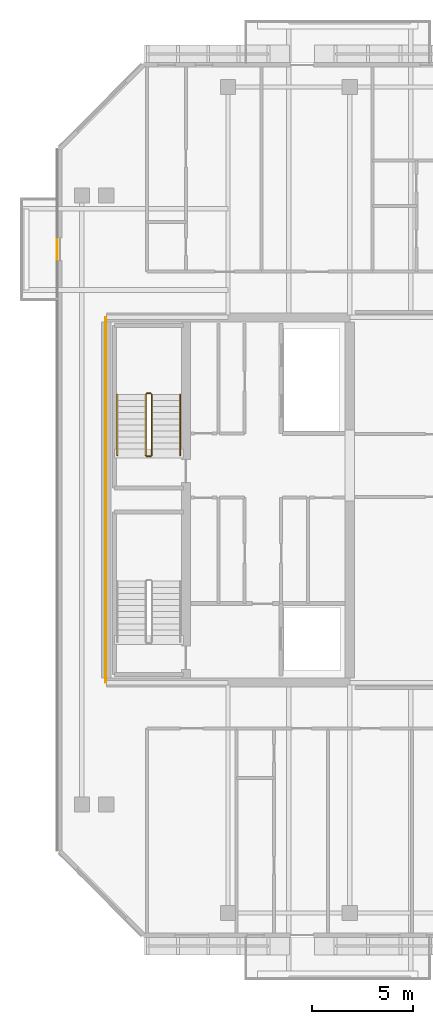
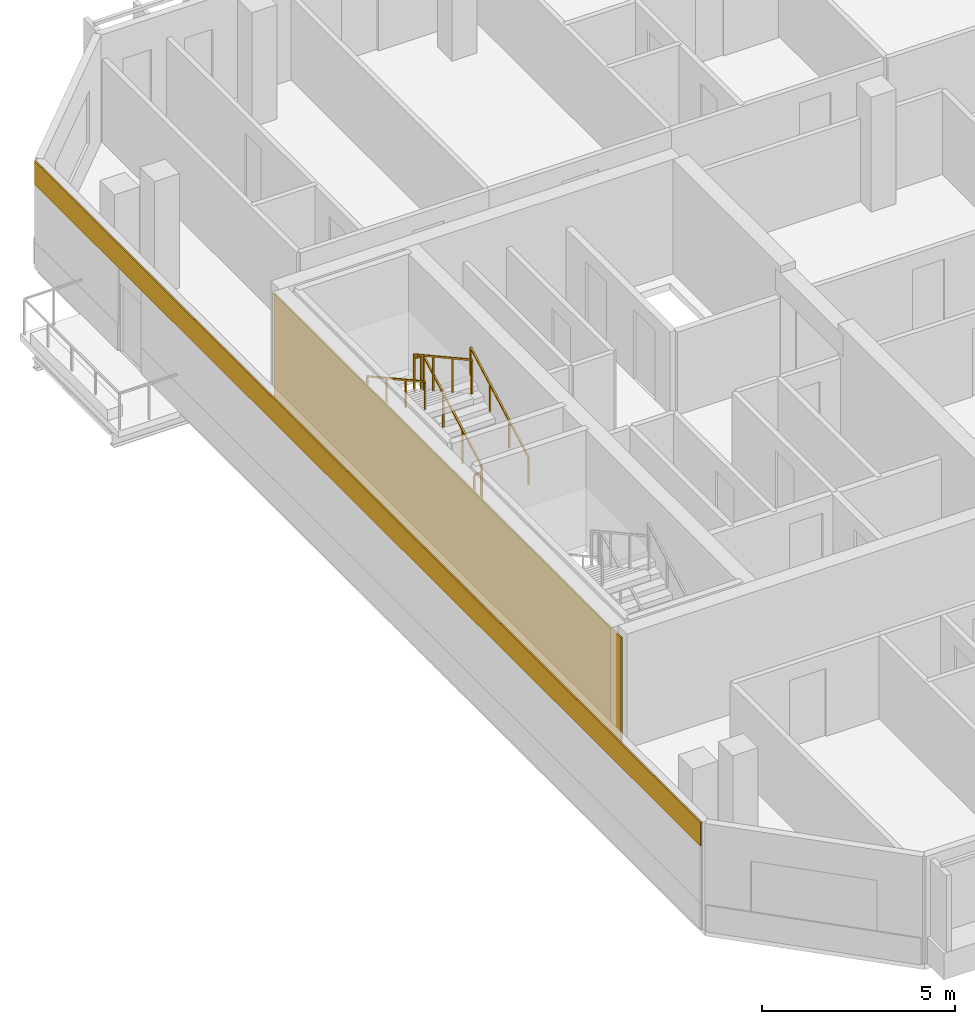
# One storey, part 19 of 23: 6 railings, 2 coverings.
"""IFC4 building model written with IfcOpenShell, lengths in metres."""

import ifcopenshell
import ifcopenshell.guid

model = None  # the IFC model being written
_history = None  # IfcOwnerHistory: only IFC2X3 demands one
_inside = {}  # id of a spatial element -> (the spatial element, [elements in it])
_under = {}  # id of a project, library or spatial element -> (it, [spatial elements below it])
_declared = {}  # id of a project -> (the project, [libraries it declares])
_typed = {}  # id of a type object -> (the type object, [elements of that type])
_made_of = {}  # id of a material, layer set ... -> (it, [elements and type objects made of it])


def new_model(schema):
    """Start an empty IFC model of exactly this schema.

    Asked for "IFC4X3", IfcOpenShell would pick the latest addendum, in which some entities
    have other attributes; the version numbers below select the first issue.
    IFC2X3 requires an IfcOwnerHistory on every rooted entity: one is made here for all.
    """
    global model, _history
    if schema == "IFC4X3":
        model = ifcopenshell.file(schema_version=(4, 3, 0, 0))
    else:
        model = ifcopenshell.file(schema=schema)
    _inside.clear()
    _under.clear()
    _declared.clear()
    _typed.clear()
    _made_of.clear()
    _history = None
    if model.schema == "IFC2X3":
        org = make("IfcOrganization", Name="unknown")
        user = make(
            "IfcPersonAndOrganization",
            ThePerson=make("IfcPerson", FamilyName="unknown"),
            TheOrganization=org,
        )
        app = make(
            "IfcApplication",
            ApplicationDeveloper=org,
            Version="unknown",
            ApplicationFullName="unknown",
            ApplicationIdentifier="unknown",
        )
        _history = make(
            "IfcOwnerHistory",
            OwningUser=user,
            OwningApplication=app,
            ChangeAction="ADDED",
            CreationDate=0,
        )
    return model


def make(cls, **values):
    """One entity of the class cls with the attributes given. An attribute that is None is left unset."""
    return model.create_entity(
        cls, **{name: value for name, value in values.items() if value is not None}
    )


def rooted(cls, **values):
    """An entity with a GlobalId (a new one), such as an element, a storey or a relation."""
    return make(cls, GlobalId=ifcopenshell.guid.new(), OwnerHistory=_history, **values)


def si_unit(unit_type, name, prefix=None):
    """IfcSIUnit, for example si_unit("LENGTHUNIT", "METRE", prefix="MILLI")."""
    return make("IfcSIUnit", UnitType=unit_type, Prefix=prefix, Name=name)


def assignment(units):
    """IfcUnitAssignment: the units of a project."""
    return None if units is None else make("IfcUnitAssignment", Units=units)


def point(xyz):
    """IfcCartesianPoint."""
    return None if xyz is None else make("IfcCartesianPoint", Coordinates=xyz)


def direction(xyz):
    """IfcDirection."""
    return None if xyz is None else make("IfcDirection", DirectionRatios=xyz)


def frame(location, z_axis=None, x_axis=None):
    """IfcAxis2Placement3D, a coordinate frame: its origin and axes. An axis left out is left unset."""
    return make(
        "IfcAxis2Placement3D",
        Location=point(location),
        Axis=direction(z_axis),
        RefDirection=direction(x_axis),
    )


def frame_2d(location, x_axis=None):
    """IfcAxis2Placement2D, a coordinate frame in the plane: its origin and x axis."""
    return make(
        "IfcAxis2Placement2D", Location=point(location), RefDirection=direction(x_axis)
    )


def origin():
    """The frame at (0, 0, 0) with its axes left unset."""
    return frame((0.0, 0.0, 0.0))


def origin_2d():
    """The frame at (0, 0) in the plane with its x axis left unset."""
    return frame_2d((0.0, 0.0))


def place(relative_to, where):
    """IfcLocalPlacement: puts the frame where relative to a parent placement (None: the world)."""
    return make(
        "IfcLocalPlacement", PlacementRelTo=relative_to, RelativePlacement=where
    )


def context(
    kind, dimensions, precision=None, world=None, true_north=None, identifier=None
):
    """IfcGeometricRepresentationContext, for example the 3D "Model" context."""
    return make(
        "IfcGeometricRepresentationContext",
        ContextIdentifier=identifier,
        ContextType=kind,
        CoordinateSpaceDimension=dimensions,
        Precision=precision,
        WorldCoordinateSystem=world,
        TrueNorth=true_north,
    )


def subcontext(parent, identifier, kind, view, scale=None):
    """IfcGeometricRepresentationSubContext, for example "Body" below "Model"."""
    return make(
        "IfcGeometricRepresentationSubContext",
        ContextIdentifier=identifier,
        ContextType=kind,
        ParentContext=parent,
        TargetScale=scale,
        TargetView=view,
    )


def project(units=None, contexts=None):
    """IfcProject with its units and contexts."""
    return rooted(
        "IfcProject",
        Name="project",
        RepresentationContexts=contexts,
        UnitsInContext=assignment(units),
    )


def spatial(cls, under=None, at=None, **own):
    """A site, building, storey or space (cls), placed at a placement, below another one or the project."""
    s = rooted(cls, ObjectPlacement=at, **own)
    if under is not None:
        _under.setdefault(under.id(), (under, []))[1].append(s)
    return s


def profile(cls, at=None, kind="AREA", **sizes):
    """A parametric profile (cls). Its sizes go by their IFC names, for example OverallWidth=200.0."""
    return make(cls, ProfileType=kind, Position=at, **sizes)


def rectangle(**sizes):
    """IfcRectangleProfileDef."""
    return profile("IfcRectangleProfileDef", **sizes)


def extrude(swept, where, along, depth):
    """IfcExtrudedAreaSolid: the profile swept, set in the frame where, extruded along a direction by depth."""
    return make(
        "IfcExtrudedAreaSolid",
        SweptArea=swept,
        Position=where,
        ExtrudedDirection=direction(along),
        Depth=depth,
    )


def shape(context_of_items, identifier, shape_type, items):
    """IfcShapeRepresentation: the items that make up one representation, for example the "Body"."""
    return make(
        "IfcShapeRepresentation",
        ContextOfItems=context_of_items,
        RepresentationIdentifier=identifier,
        RepresentationType=shape_type,
        Items=items,
    )


def material(Name=None, Category=None):
    """IfcMaterial."""
    return make("IfcMaterial", Name=Name, Category=Category)


def layer(
    of_material, thickness, ventilated=None, Name=None, Category=None, Priority=None
):
    """IfcMaterialLayer: one layer of a wall or slab, of a material (None: an air gap)."""
    return make(
        "IfcMaterialLayer",
        Material=of_material,
        LayerThickness=thickness,
        IsVentilated=ventilated,
        Name=Name,
        Category=Category,
        Priority=Priority,
    )


def layer_set(layers, Name=None):
    """IfcMaterialLayerSet."""
    return make("IfcMaterialLayerSet", MaterialLayers=layers, LayerSetName=Name)


def made_of(thing, what):
    """Note that an element or type object is made of a material, layer set ...; save() writes the relation."""
    if what is not None:
        _made_of.setdefault(what.id(), (what, []))[1].append(thing)
    return thing


def type_object(cls, material=None, **own):
    """A type object (cls), such as IfcWallType, which elements share."""
    return made_of(rooted(cls, **own), material)


def element(
    cls,
    number,
    at=None,
    inside=None,
    cuts=None,
    type_object=None,
    material=None,
    context=None,
    identifier="Body",
    shape_type=None,
    held_by="IfcProductDefinitionShape",
    body=None,
    shapes=None,
    **own,
):
    """One element of the class cls, such as IfcWall. Its Tag is "e" and its number.

    at: its placement. inside: the storey or other place that contains it. cuts: it is an
    opening in that element (IfcRelVoidsElement). A single representation is given by context,
    identifier, shape_type and body (its items); several are given by shapes. held_by: the class
    of the entity that holds the representations. save() writes the other relations.
    """
    e = rooted(cls, Tag="e%d" % number, ObjectPlacement=at, **own)
    if body is not None:
        shapes = [shape(context, identifier, shape_type, body)]
    if shapes is not None:
        e.Representation = make(held_by, Representations=shapes)
    if inside is not None:
        _inside.setdefault(inside.id(), (inside, []))[1].append(e)
    if cuts is not None:
        rooted(
            "IfcRelVoidsElement", RelatingBuildingElement=cuts, RelatedOpeningElement=e
        )
    if type_object is not None:
        _typed.setdefault(type_object.id(), (type_object, []))[1].append(e)
    return made_of(e, material)


def aggregate(whole, parts):
    """IfcRelAggregates: a whole, such as a stair, and the parts it consists of."""
    return rooted("IfcRelAggregates", RelatingObject=whole, RelatedObjects=parts)


def save(model, path):
    """Write the relations noted so far, then the file.

    IfcRelAggregates (storeys below a building ...), IfcRelContainedInSpatialStructure (elements
    in a storey), IfcRelDefinesByType, IfcRelAssociatesMaterial and IfcRelDeclares: one each for
    every whole, place, type object, material and project.
    """
    for whole, parts in _under.values():
        aggregate(whole, parts)
    for where, things in _inside.values():
        rooted(
            "IfcRelContainedInSpatialStructure",
            RelatedElements=things,
            RelatingStructure=where,
        )
    for kind, things in _typed.values():
        rooted("IfcRelDefinesByType", RelatedObjects=things, RelatingType=kind)
    for what, things in _made_of.values():
        rooted("IfcRelAssociatesMaterial", RelatedObjects=things, RelatingMaterial=what)
    for by, libraries in _declared.values():
        rooted("IfcRelDeclares", RelatingContext=by, RelatedDefinitions=libraries)
    model.write(path)


model = new_model("IFC4")

# Units and contexts
model_context = context("Model", 3, precision=1e-05, world=origin(), true_north=direction((0.0, 1.0)))
body_context = subcontext(model_context, "Body", "Model", "MODEL_VIEW")
ifc_project = project(units=[si_unit("LENGTHUNIT", "METRE"), si_unit("AREAUNIT", "SQUARE_METRE"), si_unit("VOLUMEUNIT", "CUBIC_METRE"), si_unit("PLANEANGLEUNIT", "RADIAN"), si_unit("MASSUNIT", "GRAM", prefix="KILO")], contexts=[model_context])

# Site, building, storey
site_placement = place(None, origin())
site = spatial("IfcSite", under=ifc_project, at=site_placement, CompositionType="ELEMENT")
building_placement = place(site_placement, origin())
building = spatial("IfcBuilding", under=site, at=building_placement, Name="Tanjung Sevakor Pilgrim Tower", CompositionType="ELEMENT")
storey_placement = place(building_placement, frame((0.0, 0.0, 215.489990234375)))
storey = spatial("IfcBuildingStorey", under=building, at=storey_placement, Name="L60", CompositionType="ELEMENT", Elevation=215.489990234375)

# Coverings
ifc_material_1 = material(Name="Reconstructed Limestone Cladding", Category="masonry")
ifc_layer = layer(ifc_material_1, 0.044921875)
ifc_layer_set = layer_set([ifc_layer], Name="COV-CLAD-LIMESTONE")
covering_type = type_object("IfcCoveringType", Name="COV-CLAD-LIMESTONE", PredefinedType="CLADDING", material=ifc_layer_set)
covering_1_placement = place(storey_placement, frame((21.577392578125, 33.60009765625, 2.66015625), z_axis=(0.0, 0.0, 1.0), x_axis=(0.0, -1.0, 0.0)))
element("IfcCovering", 1, at=covering_1_placement, inside=storey, type_object=covering_type, Name="L60 Warm Limestone Cornice Spandrel EW-L60-MAIN-15", PredefinedType="CLADDING", context=body_context, shape_type="SweptSolid", body=[
    extrude(rectangle(XDim=34.56884765625, YDim=0.044921875, at=origin_2d()), origin(), (0.0, 0.0, 1.0), 0.739990234375),
])
covering_2_placement = place(storey_placement, frame((23.9775390625, 33.60009765625, 0.02001953125), z_axis=(0.0, 0.0, 1.0), x_axis=(1.0, 0.0, 0.0)))
element("IfcCovering", 2, at=covering_2_placement, inside=storey, type_object=covering_type, Name="L60 Expressed Core Warm Limestone Cladding W", PredefinedType="CLADDING", context=body_context, shape_type="SweptSolid", body=[
    extrude(rectangle(XDim=0.044921875, YDim=18.0, at=origin_2d()), origin(), (0.0, 0.0, 1.0), 3.3701171875),
])

# Railings
ifc_material_2 = material(Name="Steel S355J2", Category="steel")
railing_type_1 = type_object("IfcRailingType", Name="RL-STAIR-GUARD", PredefinedType="GUARDRAIL", material=ifc_material_2)
railing_1_placement = place(storey_placement, frame((26.25, 35.800048828125, 0.1650390625)))
element("IfcRailing", 3, at=railing_1_placement, inside=storey, type_object=railing_type_1, Name="L60 TS-W2 stair guard 1", PredefinedType="GUARDRAIL", context=body_context, shape_type="SweptSolid", body=[
    extrude(rectangle(XDim=0.0479, YDim=0.0479), frame((0.0, 0.0, 1.076171875), z_axis=(0.0, 0.876227952683, 0.48189685093), x_axis=(-1.0, 0.0, 0.0)), (0.0, 0.0, 1.0), 3.423828125),
    extrude(rectangle(XDim=0.042, YDim=0.042), origin(), (0.0, 0.0, 1.0), 1.052001953125),
    extrude(rectangle(XDim=0.042, YDim=0.042), frame((0.0, 1.0, 0.550048828125)), (0.0, 0.0, 1.0), 1.052001953125),
    extrude(rectangle(XDim=0.042, YDim=0.042), frame((0.0, 2.0, 1.099853515625)), (0.0, 0.0, 1.0), 1.052001953125),
    extrude(rectangle(XDim=0.042, YDim=0.042), frame((0.0, 3.0, 1.64990234375)), (0.0, 0.0, 1.0), 1.052001953125),
])
railing_2_placement = place(storey_placement, frame((26.199951171875, 38.85009765625, 1.81494140625)))
element("IfcRailing", 4, at=railing_2_placement, inside=storey, type_object=railing_type_1, Name="L60 TS-W2 stair guard 2", PredefinedType="GUARDRAIL", context=body_context, shape_type="SweptSolid", body=[
    extrude(rectangle(XDim=0.0479, YDim=0.0479), frame((0.0, 0.0, 1.076171875), z_axis=(-1.0, 0.0, 0.0), x_axis=(0.0, -1.0, 0.0)), (0.0, 0.0, 1.0), 0.199951171875),
    extrude(rectangle(XDim=0.042, YDim=0.042), origin(), (0.0, 0.0, 1.0), 1.052001953125),
    extrude(rectangle(XDim=0.042, YDim=0.042), frame((-0.199951171875, 0.0, 0.0)), (0.0, 0.0, 1.0), 1.052001953125),
])
railing_3_placement = place(storey_placement, frame((25.949951171875, 38.800048828125, 1.97998046875)))
element("IfcRailing", 5, at=railing_3_placement, inside=storey, type_object=railing_type_1, Name="L60 TS-W2 stair guard 3", PredefinedType="GUARDRAIL", context=body_context, shape_type="SweptSolid", body=[
    extrude(rectangle(XDim=0.0479, YDim=0.0479), frame((0.0, 0.0, 1.076171875), z_axis=(0.0, -0.876197842262, 0.481951596342), x_axis=(1.0, 0.0, 0.0)), (0.0, 0.0, 1.0), 3.423828125),
    extrude(rectangle(XDim=0.042, YDim=0.042), origin(), (0.0, 0.0, 1.0), 1.052001953125),
    extrude(rectangle(XDim=0.042, YDim=0.042), frame((0.0, -1.0, 0.550048828125)), (0.0, 0.0, 1.0), 1.052001953125),
    extrude(rectangle(XDim=0.042, YDim=0.042), frame((0.0, -2.0, 1.10009765625)), (0.0, 0.0, 1.0), 1.052001953125),
    extrude(rectangle(XDim=0.042, YDim=0.042), frame((0.0, -3.0, 1.650146484375)), (0.0, 0.0, 1.0), 1.052001953125),
])
railing_4_placement = place(storey_placement, frame((26.199951171875, 35.75, 0.0)))
element("IfcRailing", 6, at=railing_4_placement, inside=storey, type_object=railing_type_1, Name="L60 TS-W2 stair guard 4", PredefinedType="GUARDRAIL", context=body_context, shape_type="SweptSolid", body=[
    extrude(rectangle(XDim=0.0479, YDim=0.0479), frame((0.0, 0.0, 1.076171875), z_axis=(-1.0, 0.0, 0.0), x_axis=(0.0, -1.0, 0.0)), (0.0, 0.0, 1.0), 0.199951171875),
    extrude(rectangle(XDim=0.042, YDim=0.042), origin(), (0.0, 0.0, 1.0), 1.052001953125),
    extrude(rectangle(XDim=0.042, YDim=0.042), frame((-0.199951171875, 0.0, 0.0)), (0.0, 0.0, 1.0), 1.052001953125),
])
ifc_material_3 = material(Name="Steel S355J2", Category="steel")
railing_type_2 = type_object("IfcRailingType", Name="RL-STAIR-HAND", PredefinedType="HANDRAIL", material=ifc_material_3)
railing_5_placement = place(storey_placement, frame((27.64990234375, 35.800048828125, 0.1650390625)))
element("IfcRailing", 7, at=railing_5_placement, inside=storey, type_object=railing_type_2, Name="L60 TS-W2 stair handrail 1", PredefinedType="HANDRAIL", context=body_context, shape_type="SweptSolid", body=[
    extrude(rectangle(XDim=0.0479, YDim=0.0479), frame((0.0, 0.0, 0.8759765625), z_axis=(0.0, 0.876227952683, 0.48189685093), x_axis=(-1.0, 0.0, 0.0)), (0.0, 0.0, 1.0), 3.423828125),
    extrude(rectangle(XDim=0.042, YDim=0.042), origin(), (0.0, 0.0, 1.0), 0.851806640625),
    extrude(rectangle(XDim=0.042, YDim=0.042), frame((0.0, 1.0, 0.550048828125)), (0.0, 0.0, 1.0), 0.851806640625),
    extrude(rectangle(XDim=0.042, YDim=0.042), frame((0.0, 2.0, 1.099853515625)), (0.0, 0.0, 1.0), 0.851806640625),
    extrude(rectangle(XDim=0.042, YDim=0.042), frame((0.0, 3.0, 1.64990234375)), (0.0, 0.0, 1.0), 0.851806640625),
])
railing_6_placement = place(storey_placement, frame((24.550048828125, 38.800048828125, 1.97998046875)))
element("IfcRailing", 8, at=railing_6_placement, inside=storey, type_object=railing_type_2, Name="L60 TS-W2 stair handrail 2", PredefinedType="HANDRAIL", context=body_context, shape_type="SweptSolid", body=[
    extrude(rectangle(XDim=0.0479, YDim=0.0479), frame((0.0, 0.0, 0.8759765625), z_axis=(0.0, -0.876197842262, 0.481951596342), x_axis=(1.0, 0.0, 0.0)), (0.0, 0.0, 1.0), 3.423828125),
    extrude(rectangle(XDim=0.042, YDim=0.042), origin(), (0.0, 0.0, 1.0), 0.851806640625),
    extrude(rectangle(XDim=0.042, YDim=0.042), frame((0.0, -1.0, 0.550048828125)), (0.0, 0.0, 1.0), 0.851806640625),
    extrude(rectangle(XDim=0.042, YDim=0.042), frame((0.0, -2.0, 1.10009765625)), (0.0, 0.0, 1.0), 0.851806640625),
    extrude(rectangle(XDim=0.042, YDim=0.042), frame((0.0, -3.0, 1.650146484375)), (0.0, 0.0, 1.0), 0.851806640625),
])

save(model, "model.ifc")
